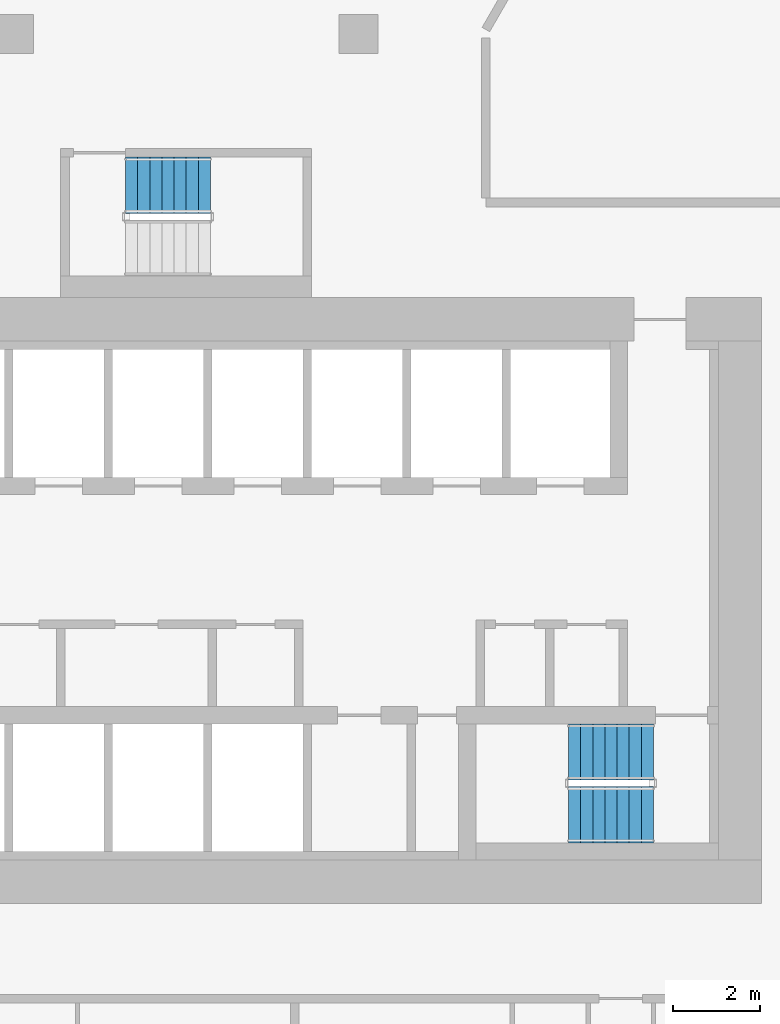
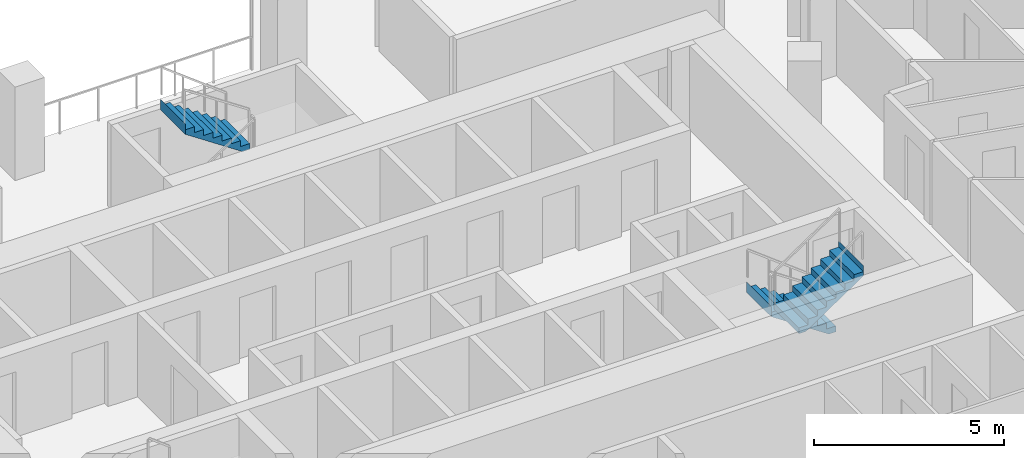
# One storey, part 12 of 16: 3 stair flights, 2 elements without a shape of their own.
"""IFC4 building model written with IfcOpenShell, lengths in metres."""

from ifc_helpers import new_model, si_unit, direction, frame, origin, place, context, subcontext, project, spatial, triangles, material, type_object, element, aggregate, save


model = new_model("IFC4")

# Units and contexts
model_context = context("Model", 3, precision=1e-05, world=origin(), true_north=direction((0.0, 1.0)))
body_context = subcontext(model_context, "Body", "Model", "MODEL_VIEW")
ifc_project = project(units=[si_unit("LENGTHUNIT", "METRE"), si_unit("AREAUNIT", "SQUARE_METRE"), si_unit("VOLUMEUNIT", "CUBIC_METRE"), si_unit("PLANEANGLEUNIT", "RADIAN"), si_unit("MASSUNIT", "GRAM", prefix="KILO")], contexts=[model_context])

# Site, building, storey
site_placement = place(None, origin())
site = spatial("IfcSite", under=ifc_project, at=site_placement, CompositionType="ELEMENT")
building_placement = place(site_placement, origin())
building = spatial("IfcBuilding", under=site, at=building_placement, Name="Beryl Residences", CompositionType="ELEMENT")
storey_placement = place(building_placement, frame((0.0, 0.0, 96.0)))
storey = spatial("IfcBuildingStorey", under=building, at=storey_placement, Name="L29", CompositionType="ELEMENT", Elevation=96.0)

# Stair, stair flights
ifc_material_1 = material(Name="Concrete C40/50", Category="concrete")
stair_type = type_object("IfcStairType", Name="ST1 protected exit stair, half-turn, 1300 mm flights", PredefinedType="HALF_TURN_STAIR", material=ifc_material_1)
stair_1_placement = place(storey_placement, origin())
stair_1 = element("IfcStair", 1, at=stair_1_placement, inside=storey, type_object=stair_type, Name="L29 PROTECTED EXIT STAIR ST-3", PredefinedType="HALF_TURN_STAIR")
ifc_material_2 = material(Name="Concrete C40/50", Category="concrete")
stair_flight_type = type_object("IfcStairFlightType", Name="SF1 stair flight 1300 mm", PredefinedType="STRAIGHT", material=ifc_material_2)
stair_flight_1_placement = place(storey_placement, frame((10.800048828125, -15.5, 0.0), z_axis=(0.0, 0.0, 1.0), x_axis=(-1.0, 0.0, 0.0)))
stair_flight_1 = element("IfcStairFlight", 2, at=stair_flight_1_placement, type_object=stair_flight_type, Name="ST-3 flight 1", NumberOfRisers=8, NumberOfTreads=7, PredefinedType="STRAIGHT", RiserHeight=0.1875, TreadLength=0.28, context=body_context, shape_type="Tessellation", body=[
    triangles([(0.0, -0.64990234375, 0.0), (0.0, -0.324951171875, 0.0), (0.0, 0.0, 0.0), (0.0, 0.324951171875, 0.0), (0.0, 0.64990234375, 0.0), (0.0, -0.64990234375, 0.1875), (0.0, -0.324951171875, 0.1875), (0.0, 0.0, 0.1875), (0.0, 0.324951171875, 0.1875), (0.0, 0.64990234375, 0.1875), (0.280029296875, -0.64990234375, 0.1875), (0.280029296875, -0.324951171875, 0.1875), (0.280029296875, 0.0, 0.1875), (0.280029296875, 0.324951171875, 0.1875), (0.280029296875, 0.64990234375, 0.1875), (0.280029296875, -0.64990234375, 0.375), (0.280029296875, -0.324951171875, 0.375), (0.280029296875, 0.0, 0.375), (0.280029296875, 0.324951171875, 0.375), (0.280029296875, 0.64990234375, 0.375), (0.56005859375, -0.64990234375, 0.375), (0.56005859375, -0.324951171875, 0.375), (0.56005859375, 0.0, 0.375), (0.56005859375, 0.324951171875, 0.375), (0.56005859375, 0.64990234375, 0.375), (0.56005859375, -0.64990234375, 0.5625), (0.56005859375, -0.324951171875, 0.5625), (0.56005859375, 0.0, 0.5625), (0.56005859375, 0.324951171875, 0.5625), (0.56005859375, 0.64990234375, 0.5625), (0.840087890625, -0.64990234375, 0.5625), (0.840087890625, -0.324951171875, 0.5625), (0.840087890625, 0.0, 0.5625), (0.840087890625, 0.324951171875, 0.5625), (0.840087890625, 0.64990234375, 0.5625), (0.840087890625, -0.64990234375, 0.75), (0.840087890625, -0.324951171875, 0.75), (0.840087890625, 0.0, 0.75), (0.840087890625, 0.324951171875, 0.75), (0.840087890625, 0.64990234375, 0.75), (1.1201171875, -0.64990234375, 0.75), (1.1201171875, -0.324951171875, 0.75), (1.1201171875, 0.0, 0.75), (1.1201171875, 0.324951171875, 0.75), (1.1201171875, 0.64990234375, 0.75), (1.1201171875, -0.64990234375, 0.9375), (1.1201171875, -0.324951171875, 0.9375), (1.1201171875, 0.0, 0.9375), (1.1201171875, 0.324951171875, 0.9375), (1.1201171875, 0.64990234375, 0.9375), (1.39990234375, -0.64990234375, 0.9375), (1.39990234375, -0.324951171875, 0.9375), (1.39990234375, 0.0, 0.9375), (1.39990234375, 0.324951171875, 0.9375), (1.39990234375, 0.64990234375, 0.9375), (1.39990234375, -0.64990234375, 1.125), (1.39990234375, -0.324951171875, 1.125), (1.39990234375, 0.0, 1.125), (1.39990234375, 0.324951171875, 1.125), (1.39990234375, 0.64990234375, 1.125), (1.679931640625, -0.64990234375, 1.125), (1.679931640625, -0.324951171875, 1.125), (1.679931640625, 0.0, 1.125), (1.679931640625, 0.324951171875, 1.125), (1.679931640625, 0.64990234375, 1.125), (1.679931640625, -0.64990234375, 1.3125), (1.679931640625, -0.324951171875, 1.3125), (1.679931640625, 0.0, 1.3125), (1.679931640625, 0.324951171875, 1.3125), (1.679931640625, 0.64990234375, 1.3125), (1.9599609375, -0.64990234375, 1.3125), (1.9599609375, -0.324951171875, 1.3125), (1.9599609375, 0.0, 1.3125), (1.9599609375, 0.324951171875, 1.3125), (1.9599609375, 0.64990234375, 1.3125), (1.9599609375, -0.64990234375, 1.5), (1.9599609375, -0.324951171875, 1.5), (1.9599609375, 0.0, 1.5), (1.9599609375, 0.324951171875, 1.5), (1.9599609375, 0.64990234375, 1.5), (1.9609375, -0.64990234375, 1.5), (1.9609375, -0.324951171875, 1.5), (1.9609375, 0.0, 1.5), (1.9609375, 0.324951171875, 1.5), (1.9609375, 0.64990234375, 1.5), (1.9609375, -0.64990234375, 1.16796875), (1.9609375, -0.324951171875, 1.16796875), (1.9609375, 0.0, 1.16796875), (1.9609375, 0.324951171875, 1.16796875), (1.9609375, 0.64990234375, 1.16796875), (0.216796875, -0.64990234375, 0.0), (0.216796875, -0.324951171875, 0.0), (0.216796875, 0.0, 0.0), (0.216796875, 0.324951171875, 0.0), (0.216796875, 0.64990234375, 0.0)], [[1, 6, 7], [1, 7, 2], [2, 7, 8], [2, 8, 3], [3, 8, 9], [3, 9, 4], [4, 9, 10], [4, 10, 5], [6, 11, 12], [6, 12, 7], [7, 12, 13], [7, 13, 8], [8, 13, 14], [8, 14, 9], [9, 14, 15], [9, 15, 10], [11, 16, 17], [11, 17, 12], [12, 17, 18], [12, 18, 13], [13, 18, 19], [13, 19, 14], [14, 19, 20], [14, 20, 15], [16, 21, 22], [16, 22, 17], [17, 22, 23], [17, 23, 18], [18, 23, 24], [18, 24, 19], [19, 24, 25], [19, 25, 20], [21, 26, 27], [21, 27, 22], [22, 27, 28], [22, 28, 23], [23, 28, 29], [23, 29, 24], [24, 29, 30], [24, 30, 25], [26, 31, 32], [26, 32, 27], [27, 32, 33], [27, 33, 28], [28, 33, 34], [28, 34, 29], [29, 34, 35], [29, 35, 30], [31, 36, 37], [31, 37, 32], [32, 37, 38], [32, 38, 33], [33, 38, 39], [33, 39, 34], [34, 39, 40], [34, 40, 35], [36, 41, 42], [36, 42, 37], [37, 42, 43], [37, 43, 38], [38, 43, 44], [38, 44, 39], [39, 44, 45], [39, 45, 40], [41, 46, 47], [41, 47, 42], [42, 47, 48], [42, 48, 43], [43, 48, 49], [43, 49, 44], [44, 49, 50], [44, 50, 45], [46, 51, 52], [46, 52, 47], [47, 52, 53], [47, 53, 48], [48, 53, 54], [48, 54, 49], [49, 54, 55], [49, 55, 50], [51, 56, 57], [51, 57, 52], [52, 57, 58], [52, 58, 53], [53, 58, 59], [53, 59, 54], [54, 59, 60], [54, 60, 55], [56, 61, 62], [56, 62, 57], [57, 62, 63], [57, 63, 58], [58, 63, 64], [58, 64, 59], [59, 64, 65], [59, 65, 60], [61, 66, 67], [61, 67, 62], [62, 67, 68], [62, 68, 63], [63, 68, 69], [63, 69, 64], [64, 69, 70], [64, 70, 65], [66, 71, 72], [66, 72, 67], [67, 72, 73], [67, 73, 68], [68, 73, 74], [68, 74, 69], [69, 74, 75], [69, 75, 70], [71, 76, 77], [71, 77, 72], [72, 77, 78], [72, 78, 73], [73, 78, 79], [73, 79, 74], [74, 79, 80], [74, 80, 75], [76, 81, 82], [76, 82, 77], [77, 82, 83], [77, 83, 78], [78, 83, 84], [78, 84, 79], [79, 84, 85], [79, 85, 80], [81, 86, 87], [81, 87, 82], [82, 87, 88], [82, 88, 83], [83, 88, 89], [83, 89, 84], [84, 89, 90], [84, 90, 85], [86, 91, 92], [86, 92, 87], [87, 92, 93], [87, 93, 88], [88, 93, 94], [88, 94, 89], [89, 94, 95], [89, 95, 90], [91, 1, 2], [91, 2, 92], [92, 2, 3], [92, 3, 93], [93, 3, 4], [93, 4, 94], [94, 4, 5], [94, 5, 95], [1, 91, 86], [5, 90, 95], [86, 81, 76], [90, 80, 85], [86, 76, 71], [90, 75, 80], [86, 71, 66], [90, 70, 75], [86, 66, 61], [90, 65, 70], [61, 56, 51], [65, 55, 60], [86, 61, 51], [90, 55, 65], [51, 46, 41], [55, 45, 50], [86, 51, 41], [90, 45, 55], [41, 36, 31], [45, 35, 40], [86, 41, 31], [90, 35, 45], [31, 26, 21], [35, 25, 30], [86, 31, 21], [90, 25, 35], [21, 16, 11], [25, 15, 20], [86, 21, 11], [90, 15, 25], [1, 86, 11], [5, 15, 90], [11, 6, 1], [15, 5, 10]], closed=True),
])
stair_flight_2_placement = place(storey_placement, frame((8.840087890625, -16.949951171875, 1.5), z_axis=(0.0, 0.0, 1.0), x_axis=(1.0, 0.0, 0.0)))
stair_flight_2 = element("IfcStairFlight", 3, at=stair_flight_2_placement, type_object=stair_flight_type, Name="ST-3 flight 2", NumberOfRisers=8, NumberOfTreads=7, PredefinedType="STRAIGHT", RiserHeight=0.1875, TreadLength=0.28, context=body_context, shape_type="Tessellation", body=[
    triangles([(0.0, -0.64990234375, 0.0), (0.0, -0.324951171875, 0.0), (0.0, 0.0, 0.0), (0.0, 0.324951171875, 0.0), (0.0, 0.64990234375, 0.0), (0.0, -0.64990234375, 0.1875), (0.0, -0.324951171875, 0.1875), (0.0, 0.0, 0.1875), (0.0, 0.324951171875, 0.1875), (0.0, 0.64990234375, 0.1875), (0.280029296875, -0.64990234375, 0.1875), (0.280029296875, -0.324951171875, 0.1875), (0.280029296875, 0.0, 0.1875), (0.280029296875, 0.324951171875, 0.1875), (0.280029296875, 0.64990234375, 0.1875), (0.280029296875, -0.64990234375, 0.375), (0.280029296875, -0.324951171875, 0.375), (0.280029296875, 0.0, 0.375), (0.280029296875, 0.324951171875, 0.375), (0.280029296875, 0.64990234375, 0.375), (0.56005859375, -0.64990234375, 0.375), (0.56005859375, -0.324951171875, 0.375), (0.56005859375, 0.0, 0.375), (0.56005859375, 0.324951171875, 0.375), (0.56005859375, 0.64990234375, 0.375), (0.56005859375, -0.64990234375, 0.5625), (0.56005859375, -0.324951171875, 0.5625), (0.56005859375, 0.0, 0.5625), (0.56005859375, 0.324951171875, 0.5625), (0.56005859375, 0.64990234375, 0.5625), (0.840087890625, -0.64990234375, 0.5625), (0.840087890625, -0.324951171875, 0.5625), (0.840087890625, 0.0, 0.5625), (0.840087890625, 0.324951171875, 0.5625), (0.840087890625, 0.64990234375, 0.5625), (0.840087890625, -0.64990234375, 0.75), (0.840087890625, -0.324951171875, 0.75), (0.840087890625, 0.0, 0.75), (0.840087890625, 0.324951171875, 0.75), (0.840087890625, 0.64990234375, 0.75), (1.1201171875, -0.64990234375, 0.75), (1.1201171875, -0.324951171875, 0.75), (1.1201171875, 0.0, 0.75), (1.1201171875, 0.324951171875, 0.75), (1.1201171875, 0.64990234375, 0.75), (1.1201171875, -0.64990234375, 0.9375), (1.1201171875, -0.324951171875, 0.9375), (1.1201171875, 0.0, 0.9375), (1.1201171875, 0.324951171875, 0.9375), (1.1201171875, 0.64990234375, 0.9375), (1.39990234375, -0.64990234375, 0.9375), (1.39990234375, -0.324951171875, 0.9375), (1.39990234375, 0.0, 0.9375), (1.39990234375, 0.324951171875, 0.9375), (1.39990234375, 0.64990234375, 0.9375), (1.39990234375, -0.64990234375, 1.125), (1.39990234375, -0.324951171875, 1.125), (1.39990234375, 0.0, 1.125), (1.39990234375, 0.324951171875, 1.125), (1.39990234375, 0.64990234375, 1.125), (1.679931640625, -0.64990234375, 1.125), (1.679931640625, -0.324951171875, 1.125), (1.679931640625, 0.0, 1.125), (1.679931640625, 0.324951171875, 1.125), (1.679931640625, 0.64990234375, 1.125), (1.679931640625, -0.64990234375, 1.3125), (1.679931640625, -0.324951171875, 1.3125), (1.679931640625, 0.0, 1.3125), (1.679931640625, 0.324951171875, 1.3125), (1.679931640625, 0.64990234375, 1.3125), (1.9599609375, -0.64990234375, 1.3125), (1.9599609375, -0.324951171875, 1.3125), (1.9599609375, 0.0, 1.3125), (1.9599609375, 0.324951171875, 1.3125), (1.9599609375, 0.64990234375, 1.3125), (1.9599609375, -0.64990234375, 1.5), (1.9599609375, -0.324951171875, 1.5), (1.9599609375, 0.0, 1.5), (1.9599609375, 0.324951171875, 1.5), (1.9599609375, 0.64990234375, 1.5), (1.9609375, -0.64990234375, 1.5), (1.9609375, -0.324951171875, 1.5), (1.9609375, 0.0, 1.5), (1.9609375, 0.324951171875, 1.5), (1.9609375, 0.64990234375, 1.5), (1.9609375, -0.64990234375, 1.16796875), (1.9609375, -0.324951171875, 1.16796875), (1.9609375, 0.0, 1.16796875), (1.9609375, 0.324951171875, 1.16796875), (1.9609375, 0.64990234375, 1.16796875), (0.216796875, -0.64990234375, 0.0), (0.216796875, -0.324951171875, 0.0), (0.216796875, 0.0, 0.0), (0.216796875, 0.324951171875, 0.0), (0.216796875, 0.64990234375, 0.0)], [[1, 6, 7], [1, 7, 2], [2, 7, 8], [2, 8, 3], [3, 8, 9], [3, 9, 4], [4, 9, 10], [4, 10, 5], [6, 11, 12], [6, 12, 7], [7, 12, 13], [7, 13, 8], [8, 13, 14], [8, 14, 9], [9, 14, 15], [9, 15, 10], [11, 16, 17], [11, 17, 12], [12, 17, 18], [12, 18, 13], [13, 18, 19], [13, 19, 14], [14, 19, 20], [14, 20, 15], [16, 21, 22], [16, 22, 17], [17, 22, 23], [17, 23, 18], [18, 23, 24], [18, 24, 19], [19, 24, 25], [19, 25, 20], [21, 26, 27], [21, 27, 22], [22, 27, 28], [22, 28, 23], [23, 28, 29], [23, 29, 24], [24, 29, 30], [24, 30, 25], [26, 31, 32], [26, 32, 27], [27, 32, 33], [27, 33, 28], [28, 33, 34], [28, 34, 29], [29, 34, 35], [29, 35, 30], [31, 36, 37], [31, 37, 32], [32, 37, 38], [32, 38, 33], [33, 38, 39], [33, 39, 34], [34, 39, 40], [34, 40, 35], [36, 41, 42], [36, 42, 37], [37, 42, 43], [37, 43, 38], [38, 43, 44], [38, 44, 39], [39, 44, 45], [39, 45, 40], [41, 46, 47], [41, 47, 42], [42, 47, 48], [42, 48, 43], [43, 48, 49], [43, 49, 44], [44, 49, 50], [44, 50, 45], [46, 51, 52], [46, 52, 47], [47, 52, 53], [47, 53, 48], [48, 53, 54], [48, 54, 49], [49, 54, 55], [49, 55, 50], [51, 56, 57], [51, 57, 52], [52, 57, 58], [52, 58, 53], [53, 58, 59], [53, 59, 54], [54, 59, 60], [54, 60, 55], [56, 61, 62], [56, 62, 57], [57, 62, 63], [57, 63, 58], [58, 63, 64], [58, 64, 59], [59, 64, 65], [59, 65, 60], [61, 66, 67], [61, 67, 62], [62, 67, 68], [62, 68, 63], [63, 68, 69], [63, 69, 64], [64, 69, 70], [64, 70, 65], [66, 71, 72], [66, 72, 67], [67, 72, 73], [67, 73, 68], [68, 73, 74], [68, 74, 69], [69, 74, 75], [69, 75, 70], [71, 76, 77], [71, 77, 72], [72, 77, 78], [72, 78, 73], [73, 78, 79], [73, 79, 74], [74, 79, 80], [74, 80, 75], [76, 81, 82], [76, 82, 77], [77, 82, 83], [77, 83, 78], [78, 83, 84], [78, 84, 79], [79, 84, 85], [79, 85, 80], [81, 86, 87], [81, 87, 82], [82, 87, 88], [82, 88, 83], [83, 88, 89], [83, 89, 84], [84, 89, 90], [84, 90, 85], [86, 91, 92], [86, 92, 87], [87, 92, 93], [87, 93, 88], [88, 93, 94], [88, 94, 89], [89, 94, 95], [89, 95, 90], [91, 1, 2], [91, 2, 92], [92, 2, 3], [92, 3, 93], [93, 3, 4], [93, 4, 94], [94, 4, 5], [94, 5, 95], [1, 91, 86], [5, 90, 95], [86, 81, 76], [90, 80, 85], [86, 76, 71], [90, 75, 80], [86, 71, 66], [90, 70, 75], [86, 66, 61], [90, 65, 70], [61, 56, 51], [65, 55, 60], [86, 61, 51], [90, 55, 65], [51, 46, 41], [55, 45, 50], [86, 51, 41], [90, 45, 55], [41, 36, 31], [45, 35, 40], [86, 41, 31], [90, 35, 45], [31, 26, 21], [35, 25, 30], [86, 31, 21], [90, 25, 35], [21, 16, 11], [25, 15, 20], [86, 21, 11], [90, 15, 25], [1, 86, 11], [5, 15, 90], [11, 6, 1], [15, 5, 10]], closed=True),
])
aggregate(stair_1, [stair_flight_1, stair_flight_2])

# Stair, stair flight
stair_2_placement = place(storey_placement, origin())
stair_2 = element("IfcStair", 4, at=stair_2_placement, inside=storey, type_object=stair_type, Name="L29 PROTECTED EXIT STAIR ST-4", PredefinedType="HALF_TURN_STAIR")
stair_flight_3_placement = place(storey_placement, frame((0.56005859375, -2.39990234375, 1.5), z_axis=(0.0, 0.0, 1.0), x_axis=(-1.0, 0.0, 0.0)))
stair_flight_3 = element("IfcStairFlight", 5, at=stair_flight_3_placement, type_object=stair_flight_type, Name="ST-4 flight 2", NumberOfRisers=8, NumberOfTreads=7, PredefinedType="STRAIGHT", RiserHeight=0.1875, TreadLength=0.28, context=body_context, shape_type="Tessellation", body=[
    triangles([(0.0, -0.64990234375, 0.0), (0.0, -0.324951171875, 0.0), (0.0, 0.0, 0.0), (0.0, 0.324951171875, 0.0), (0.0, 0.64990234375, 0.0), (0.0, -0.64990234375, 0.1875), (0.0, -0.324951171875, 0.1875), (0.0, 0.0, 0.1875), (0.0, 0.324951171875, 0.1875), (0.0, 0.64990234375, 0.1875), (0.280029296875, -0.64990234375, 0.1875), (0.280029296875, -0.324951171875, 0.1875), (0.280029296875, 0.0, 0.1875), (0.280029296875, 0.324951171875, 0.1875), (0.280029296875, 0.64990234375, 0.1875), (0.280029296875, -0.64990234375, 0.375), (0.280029296875, -0.324951171875, 0.375), (0.280029296875, 0.0, 0.375), (0.280029296875, 0.324951171875, 0.375), (0.280029296875, 0.64990234375, 0.375), (0.56005859375, -0.64990234375, 0.375), (0.56005859375, -0.324951171875, 0.375), (0.56005859375, 0.0, 0.375), (0.56005859375, 0.324951171875, 0.375), (0.56005859375, 0.64990234375, 0.375), (0.56005859375, -0.64990234375, 0.5625), (0.56005859375, -0.324951171875, 0.5625), (0.56005859375, 0.0, 0.5625), (0.56005859375, 0.324951171875, 0.5625), (0.56005859375, 0.64990234375, 0.5625), (0.840087890625, -0.64990234375, 0.5625), (0.840087890625, -0.324951171875, 0.5625), (0.840087890625, 0.0, 0.5625), (0.840087890625, 0.324951171875, 0.5625), (0.840087890625, 0.64990234375, 0.5625), (0.840087890625, -0.64990234375, 0.75), (0.840087890625, -0.324951171875, 0.75), (0.840087890625, 0.0, 0.75), (0.840087890625, 0.324951171875, 0.75), (0.840087890625, 0.64990234375, 0.75), (1.1201171875, -0.64990234375, 0.75), (1.1201171875, -0.324951171875, 0.75), (1.1201171875, 0.0, 0.75), (1.1201171875, 0.324951171875, 0.75), (1.1201171875, 0.64990234375, 0.75), (1.1201171875, -0.64990234375, 0.9375), (1.1201171875, -0.324951171875, 0.9375), (1.1201171875, 0.0, 0.9375), (1.1201171875, 0.324951171875, 0.9375), (1.1201171875, 0.64990234375, 0.9375), (1.39990234375, -0.64990234375, 0.9375), (1.39990234375, -0.324951171875, 0.9375), (1.39990234375, 0.0, 0.9375), (1.39990234375, 0.324951171875, 0.9375), (1.39990234375, 0.64990234375, 0.9375), (1.39990234375, -0.64990234375, 1.125), (1.39990234375, -0.324951171875, 1.125), (1.39990234375, 0.0, 1.125), (1.39990234375, 0.324951171875, 1.125), (1.39990234375, 0.64990234375, 1.125), (1.679931640625, -0.64990234375, 1.125), (1.679931640625, -0.324951171875, 1.125), (1.679931640625, 0.0, 1.125), (1.679931640625, 0.324951171875, 1.125), (1.679931640625, 0.64990234375, 1.125), (1.679931640625, -0.64990234375, 1.3125), (1.679931640625, -0.324951171875, 1.3125), (1.679931640625, 0.0, 1.3125), (1.679931640625, 0.324951171875, 1.3125), (1.679931640625, 0.64990234375, 1.3125), (1.9599609375, -0.64990234375, 1.3125), (1.9599609375, -0.324951171875, 1.3125), (1.9599609375, 0.0, 1.3125), (1.9599609375, 0.324951171875, 1.3125), (1.9599609375, 0.64990234375, 1.3125), (1.9599609375, -0.64990234375, 1.5), (1.9599609375, -0.324951171875, 1.5), (1.9599609375, 0.0, 1.5), (1.9599609375, 0.324951171875, 1.5), (1.9599609375, 0.64990234375, 1.5), (1.9609375, -0.64990234375, 1.5), (1.9609375, -0.324951171875, 1.5), (1.9609375, 0.0, 1.5), (1.9609375, 0.324951171875, 1.5), (1.9609375, 0.64990234375, 1.5), (1.9609375, -0.64990234375, 1.16796875), (1.9609375, -0.324951171875, 1.16796875), (1.9609375, 0.0, 1.16796875), (1.9609375, 0.324951171875, 1.16796875), (1.9609375, 0.64990234375, 1.16796875), (0.216796875, -0.64990234375, 0.0), (0.216796875, -0.324951171875, 0.0), (0.216796875, 0.0, 0.0), (0.216796875, 0.324951171875, 0.0), (0.216796875, 0.64990234375, 0.0)], [[1, 6, 7], [1, 7, 2], [2, 7, 8], [2, 8, 3], [3, 8, 9], [3, 9, 4], [4, 9, 10], [4, 10, 5], [6, 11, 12], [6, 12, 7], [7, 12, 13], [7, 13, 8], [8, 13, 14], [8, 14, 9], [9, 14, 15], [9, 15, 10], [11, 16, 17], [11, 17, 12], [12, 17, 18], [12, 18, 13], [13, 18, 19], [13, 19, 14], [14, 19, 20], [14, 20, 15], [16, 21, 22], [16, 22, 17], [17, 22, 23], [17, 23, 18], [18, 23, 24], [18, 24, 19], [19, 24, 25], [19, 25, 20], [21, 26, 27], [21, 27, 22], [22, 27, 28], [22, 28, 23], [23, 28, 29], [23, 29, 24], [24, 29, 30], [24, 30, 25], [26, 31, 32], [26, 32, 27], [27, 32, 33], [27, 33, 28], [28, 33, 34], [28, 34, 29], [29, 34, 35], [29, 35, 30], [31, 36, 37], [31, 37, 32], [32, 37, 38], [32, 38, 33], [33, 38, 39], [33, 39, 34], [34, 39, 40], [34, 40, 35], [36, 41, 42], [36, 42, 37], [37, 42, 43], [37, 43, 38], [38, 43, 44], [38, 44, 39], [39, 44, 45], [39, 45, 40], [41, 46, 47], [41, 47, 42], [42, 47, 48], [42, 48, 43], [43, 48, 49], [43, 49, 44], [44, 49, 50], [44, 50, 45], [46, 51, 52], [46, 52, 47], [47, 52, 53], [47, 53, 48], [48, 53, 54], [48, 54, 49], [49, 54, 55], [49, 55, 50], [51, 56, 57], [51, 57, 52], [52, 57, 58], [52, 58, 53], [53, 58, 59], [53, 59, 54], [54, 59, 60], [54, 60, 55], [56, 61, 62], [56, 62, 57], [57, 62, 63], [57, 63, 58], [58, 63, 64], [58, 64, 59], [59, 64, 65], [59, 65, 60], [61, 66, 67], [61, 67, 62], [62, 67, 68], [62, 68, 63], [63, 68, 69], [63, 69, 64], [64, 69, 70], [64, 70, 65], [66, 71, 72], [66, 72, 67], [67, 72, 73], [67, 73, 68], [68, 73, 74], [68, 74, 69], [69, 74, 75], [69, 75, 70], [71, 76, 77], [71, 77, 72], [72, 77, 78], [72, 78, 73], [73, 78, 79], [73, 79, 74], [74, 79, 80], [74, 80, 75], [76, 81, 82], [76, 82, 77], [77, 82, 83], [77, 83, 78], [78, 83, 84], [78, 84, 79], [79, 84, 85], [79, 85, 80], [81, 86, 87], [81, 87, 82], [82, 87, 88], [82, 88, 83], [83, 88, 89], [83, 89, 84], [84, 89, 90], [84, 90, 85], [86, 91, 92], [86, 92, 87], [87, 92, 93], [87, 93, 88], [88, 93, 94], [88, 94, 89], [89, 94, 95], [89, 95, 90], [91, 1, 2], [91, 2, 92], [92, 2, 3], [92, 3, 93], [93, 3, 4], [93, 4, 94], [94, 4, 5], [94, 5, 95], [1, 91, 86], [5, 90, 95], [86, 81, 76], [90, 80, 85], [86, 76, 71], [90, 75, 80], [86, 71, 66], [90, 70, 75], [86, 66, 61], [90, 65, 70], [61, 56, 51], [65, 55, 60], [86, 61, 51], [90, 55, 65], [51, 46, 41], [55, 45, 50], [86, 51, 41], [90, 45, 55], [41, 36, 31], [45, 35, 40], [86, 41, 31], [90, 35, 45], [31, 26, 21], [35, 25, 30], [86, 31, 21], [90, 25, 35], [21, 16, 11], [25, 15, 20], [86, 21, 11], [90, 15, 25], [1, 86, 11], [5, 15, 90], [11, 6, 1], [15, 5, 10]], closed=True),
])
aggregate(stair_2, [stair_flight_3])

save(model, "model.ifc")
